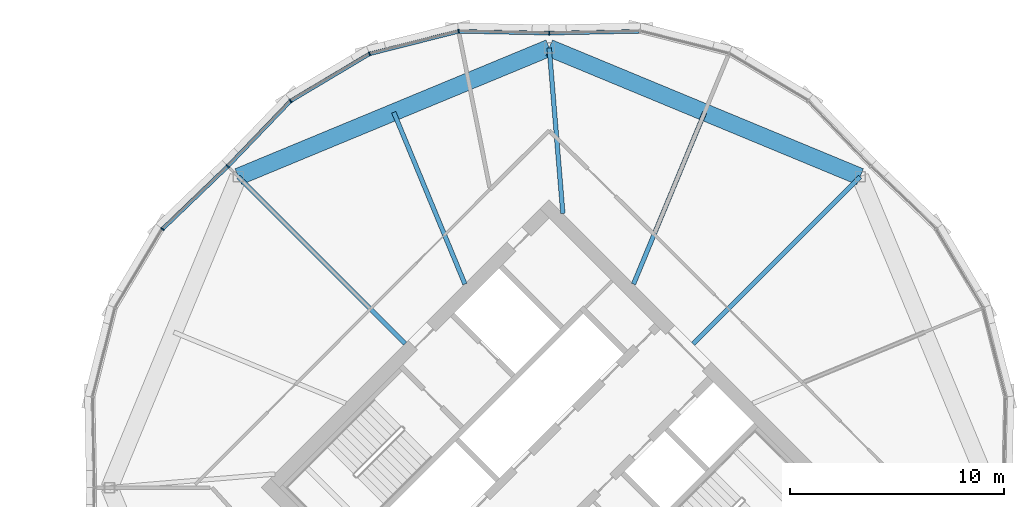
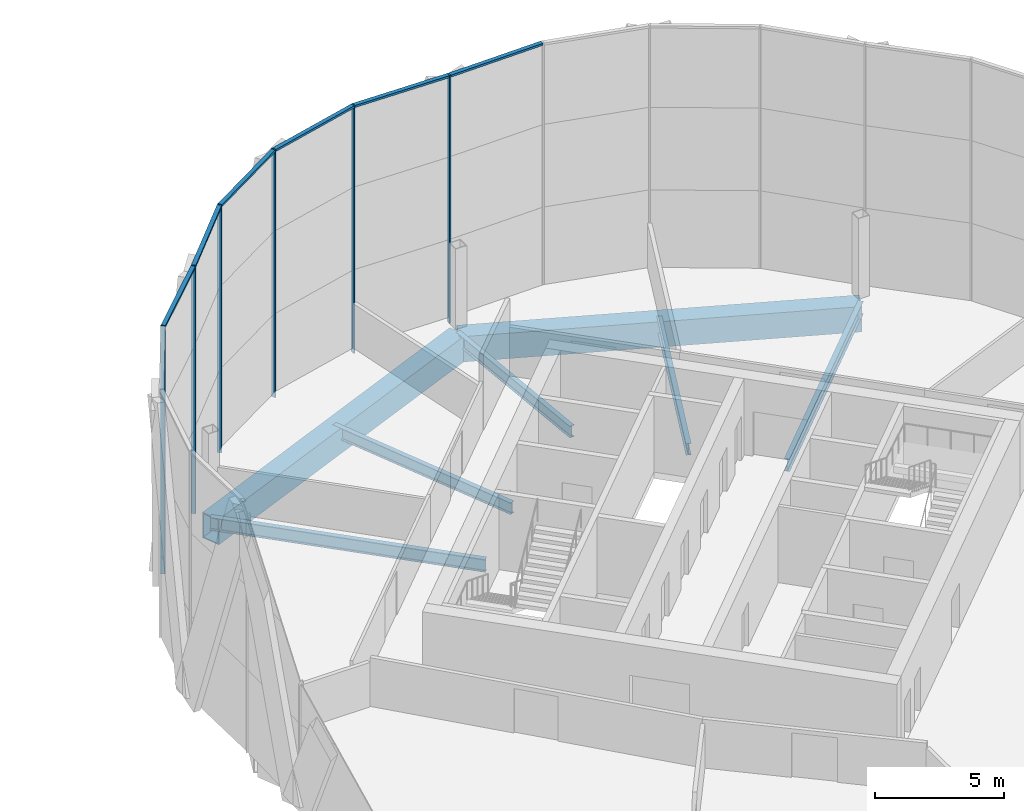
# One storey, part 13 of 25: 12 members, 7 beams, 3 elements without a shape of their own.
"""IFC4 building model written with IfcOpenShell, lengths in metres."""

from ifc_helpers import new_model, si_unit, direction, frame, origin, origin_2d, place, context, subcontext, project, spatial, rectangle, hollow_rectangle, i_section, extrude, material, material_profile, profile_set, type_object, element, aggregate, save


model = new_model("IFC4")

# Units and contexts
model_context = context("Model", 3, precision=1e-05, world=origin(), true_north=direction((0.0, 1.0)))
body_context = subcontext(model_context, "Body", "Model", "MODEL_VIEW")
ifc_project = project(units=[si_unit("LENGTHUNIT", "METRE"), si_unit("AREAUNIT", "SQUARE_METRE"), si_unit("VOLUMEUNIT", "CUBIC_METRE"), si_unit("PLANEANGLEUNIT", "RADIAN"), si_unit("MASSUNIT", "GRAM", prefix="KILO")], contexts=[model_context])

# Site, building, storey
site_placement = place(None, origin())
site = spatial("IfcSite", under=ifc_project, at=site_placement, CompositionType="ELEMENT")
building_placement = place(site_placement, origin())
building = spatial("IfcBuilding", under=site, at=building_placement, Name="Ogive Gate Towers", CompositionType="ELEMENT")
storey_placement = place(building_placement, frame((0.0, 0.0, 196.800048828125)))
storey = spatial("IfcBuildingStorey", under=building, at=storey_placement, Name="L47", CompositionType="ELEMENT", Elevation=196.800048828125)

# Beams
ifc_material_1 = material(Name="Steel SM460", Category="steel")
ifc_material_profile_1 = material_profile(ifc_material_1, hollow_rectangle(XDim=0.800048828125, YDim=1.199951171875, WallThickness=0.050048828125, at=origin_2d()), Name="BX 1200x800x50")
ifc_profile_set_1 = profile_set([ifc_material_profile_1], Name="Steel SM460")
beam_type_1 = type_object("IfcBeamType", Name="Edge girder BX 1200x800x50", PredefinedType="BEAM", material=ifc_profile_set_1)
for number, where, z_axis, x_axis, name in (
    (1, (50.509765625, 14.509765625, -0.900146484375), (-0.923877006731, 0.38268953008, 0.0), (-0.38268953008, -0.923877006731, 0.0), "T2/L47/SBM021"),
    (2, (36.0, 20.52001953125, -0.900146484375), (-0.923877006731, -0.38268953008, 0.0), (0.38268953008, -0.923877006731, 0.0), "T2/L47/SBM022"),
):
    element("IfcBeam", number, at=place(storey_placement, frame(where, z_axis=z_axis, x_axis=x_axis)), inside=storey, type_object=beam_type_1, Name=name, PredefinedType="BEAM", context=body_context, shape_type="SweptSolid", body=[
        extrude(hollow_rectangle(XDim=0.800048828125, YDim=1.199951171875, WallThickness=0.050048828125, at=origin_2d()), origin(), (0.0, 0.0, 1.0), 15.705322265625),
    ])
ifc_material_2 = material(Name="Steel SM355", Category="steel")
ifc_material_profile_2 = material_profile(ifc_material_2, i_section(OverallWidth=0.2099609375, OverallDepth=0.550048828125, WebThickness=0.010986328125, FlangeThickness=0.01708984375, FilletRadius=0.02392578125, at=origin_2d()), Name="IPE 550")
ifc_profile_set_2 = profile_set([ifc_material_profile_2], Name="Steel SM355")
beam_type_2 = type_object("IfcBeamType", Name="Radial floor beam IPE 550", PredefinedType="BEAM", material=ifc_profile_set_2)
beam_1_placement = place(storey_placement, frame((39.93505859375, 9.5, -0.574951171875), z_axis=(0.382678218882, 0.92388169199, 0.0), x_axis=(-0.92388169199, 0.382678218882, 0.0)))
element("IfcBeam", 3, at=beam_1_placement, inside=storey, type_object=beam_type_2, Name="T2/L47/SBM010", PredefinedType="BEAM", context=body_context, shape_type="SweptSolid", body=[
    extrude(i_section(OverallWidth=0.2099609375, OverallDepth=0.550048828125, WebThickness=0.010986328125, FlangeThickness=0.01708984375, FilletRadius=0.02392578125, at=origin_2d()), origin(), (0.0, 0.0, 1.0), 8.67529296875),
])
beam_2_placement = place(storey_placement, frame((36.636474609375, 12.798583984375, -0.574951171875), z_axis=(-0.082150949336, 0.996619898218, 0.0), x_axis=(-0.996619898218, -0.082150949336, 0.0)))
element("IfcBeam", 4, at=beam_2_placement, inside=storey, type_object=beam_type_2, Name="T2/L47/SBM011", PredefinedType="BEAM", context=body_context, shape_type="SweptSolid", body=[
    extrude(i_section(OverallWidth=0.2099609375, OverallDepth=0.550048828125, WebThickness=0.010986328125, FlangeThickness=0.01708984375, FilletRadius=0.02392578125, at=origin_2d()), origin(), (0.0, 0.0, 1.0), 7.74755859375),
])
beam_3_placement = place(storey_placement, frame((32.06494140625, 9.5, -0.574951171875), z_axis=(-0.382678218882, 0.92388169199, 0.0), x_axis=(-0.92388169199, -0.382678218882, 0.0)))
element("IfcBeam", 5, at=beam_3_placement, inside=storey, type_object=beam_type_2, Name="T2/L47/SBM012", PredefinedType="BEAM", context=body_context, shape_type="SweptSolid", body=[
    extrude(i_section(OverallWidth=0.2099609375, OverallDepth=0.550048828125, WebThickness=0.010986328125, FlangeThickness=0.01708984375, FilletRadius=0.02392578125, at=origin_2d()), origin(), (0.0, 0.0, 1.0), 8.67529296875),
])
ifc_material_profile_3 = material_profile(ifc_material_2, i_section(OverallWidth=0.219970703125, OverallDepth=0.60009765625, WebThickness=0.011962890625, FlangeThickness=0.01904296875, FilletRadius=0.02392578125, at=origin_2d()), Name="IPE 600")
ifc_profile_set_3 = profile_set([ifc_material_profile_3], Name="Steel SM355")
beam_type_3 = type_object("IfcBeamType", Name="Radial floor beam IPE 600", PredefinedType="BEAM", material=ifc_profile_set_3)
for number, where, z_axis, x_axis, name in (
    (6, (42.717529296875, 6.717529296875, -0.60009765625), (0.707106781187, 0.707106781187, 0.0), (-0.707106781187, 0.707106781187, 0.0), "T2/L47/SBM009"),
    (7, (29.282470703125, 6.717529296875, -0.60009765625), (-0.707106781187, 0.707106781187, 0.0), (-0.707106781187, -0.707106781187, 0.0), "T2/L47/SBM013"),
):
    element("IfcBeam", number, at=place(storey_placement, frame(where, z_axis=z_axis, x_axis=x_axis)), inside=storey, type_object=beam_type_3, Name=name, PredefinedType="BEAM", context=body_context, shape_type="SweptSolid", body=[
        extrude(i_section(OverallWidth=0.219970703125, OverallDepth=0.60009765625, WebThickness=0.011962890625, FlangeThickness=0.01904296875, FilletRadius=0.02392578125, at=origin_2d()), origin(), (0.0, 0.0, 1.0), 11.019775390625),
    ])

# Curtain wall, member
ifc_material_3 = material(Name="Pale metal aluminium", Category="aluminium")
curtain_wall_type = type_object("IfcCurtainWallType", Name="Tower unitised wall, high zone", PredefinedType="NOTDEFINED", material=ifc_material_3)
curtain_wall_1_placement = place(storey_placement, origin())
curtain_wall_1 = element("IfcCurtainWall", 8, at=curtain_wall_1_placement, inside=storey, type_object=curtain_wall_type, Name="CW2 T2 ECW02", PredefinedType="NOTDEFINED")
ifc_material_profile_4 = material_profile(ifc_material_3, rectangle(XDim=0.179931640625, YDim=0.06005859375, at=origin_2d()), Name="60 x 180 aluminium box")
ifc_profile_set_4 = profile_set([ifc_material_profile_4], Name="Pale metal aluminium")
member_type_1 = type_object("IfcMemberType", Name="Tower unitised wall, high zone mullion 60 x 180", PredefinedType="MULLION", material=ifc_profile_set_4)
member_1_placement = place(storey_placement, frame((36.000244140625, 21.2099609375, -0.300048828125), z_axis=(0.0, 0.0, 1.0), x_axis=(-0.020052489003, 0.999798928628, 0.0)))
member_1 = element("IfcMember", 9, at=member_1_placement, type_object=member_type_1, Name="CW2 mullion", PredefinedType="MULLION", context=body_context, shape_type="SweptSolid", body=[
    extrude(rectangle(XDim=0.179931640625, YDim=0.06005859375, at=origin_2d()), origin(), (0.0, 0.0, 1.0), 11.699951171875),
])

# Curtain wall, members
curtain_wall_2_placement = place(storey_placement, origin())
curtain_wall_2 = element("IfcCurtainWall", 10, at=curtain_wall_2_placement, inside=storey, type_object=curtain_wall_type, Name="CW2 T2 ECW03", PredefinedType="NOTDEFINED")
member_2_placement = place(storey_placement, frame((31.771728515625, 21.294921875, -0.300048828125), z_axis=(0.0, 0.0, 1.0), x_axis=(-0.113636730484, 0.993522366877, 0.0)))
member_2 = element("IfcMember", 11, at=member_2_placement, type_object=member_type_1, Name="CW2 mullion", PredefinedType="MULLION", context=body_context, shape_type="SweptSolid", body=[
    extrude(rectangle(XDim=0.179931640625, YDim=0.06005859375, at=origin_2d()), origin(), (0.0, 0.0, 1.0), 11.699951171875),
])
member_3_placement = place(storey_placement, frame((27.614990234375, 20.2431640625, -0.300048828125), z_axis=(0.0, 0.0, 1.0), x_axis=(-0.382683432365, 0.923879532511, 0.0)))
member_3 = element("IfcMember", 12, at=member_3_placement, type_object=member_type_1, Name="CW2 mullion", PredefinedType="MULLION", context=body_context, shape_type="SweptSolid", body=[
    extrude(rectangle(XDim=0.179931640625, YDim=0.06005859375, at=origin_2d()), origin(), (0.0, 0.0, 1.0), 11.699951171875),
])
member_4_placement = place(storey_placement, frame((23.931884765625, 18.047607421875, -0.300048828125), z_axis=(0.0, 0.0, 1.0), x_axis=(-0.622173100162, 0.782879705596, 0.0)))
member_4 = element("IfcMember", 13, at=member_4_placement, type_object=member_type_1, Name="CW2 mullion", PredefinedType="MULLION", context=body_context, shape_type="SweptSolid", body=[
    extrude(rectangle(XDim=0.179931640625, YDim=0.06005859375, at=origin_2d()), origin(), (0.0, 0.0, 1.0), 11.699951171875),
])
member_5_placement = place(storey_placement, frame((21.00244140625, 14.997802734375, -0.300048828125), z_axis=(0.0, 0.0, 1.0), x_axis=(-0.72114385321, 0.692785351302, 0.0)))
member_5 = element("IfcMember", 14, at=member_5_placement, type_object=member_type_1, Name="CW2 mullion", PredefinedType="MULLION", context=body_context, shape_type="SweptSolid", body=[
    extrude(rectangle(XDim=0.179931640625, YDim=0.06005859375, at=origin_2d()), origin(), (0.0, 0.0, 1.0), 11.699951171875),
])

# Curtain wall, member
curtain_wall_3_placement = place(storey_placement, origin())
curtain_wall_3 = element("IfcCurtainWall", 15, at=curtain_wall_3_placement, inside=storey, type_object=curtain_wall_type, Name="CW2 T2 ECW04", PredefinedType="NOTDEFINED")
member_6_placement = place(storey_placement, frame((17.952392578125, 12.068115234375, -0.300048828125), z_axis=(0.0, 0.0, 1.0), x_axis=(-0.782879705596, 0.622173100162, 0.0)))
member_6 = element("IfcMember", 16, at=member_6_placement, type_object=member_type_1, Name="CW2 mullion", PredefinedType="MULLION", context=body_context, shape_type="SweptSolid", body=[
    extrude(rectangle(XDim=0.179931640625, YDim=0.06005859375, at=origin_2d()), origin(), (0.0, 0.0, 1.0), 11.699951171875),
])

# Member
ifc_material_profile_5 = material_profile(ifc_material_3, rectangle(XDim=0.179931640625, YDim=0.10009765625, at=origin_2d()), Name="100 x 180 aluminium box")
ifc_profile_set_5 = profile_set([ifc_material_profile_5], Name="Pale metal aluminium")
member_type_2 = type_object("IfcMemberType", Name="Tower unitised wall, high zone transom 100 x 180", PredefinedType="USERDEFINED", material=ifc_profile_set_5)
member_7_placement = place(storey_placement, frame((40.199462890625, 21.294189453125, 11.349853515625), z_axis=(-0.999799521205, -0.020022921839, 0.0), x_axis=(0.020022921839, -0.999799521205, 0.0)))
member_7 = element("IfcMember", 17, at=member_7_placement, type_object=member_type_2, Name="CW2 transom", ObjectType="TRANSOM", PredefinedType="USERDEFINED", context=body_context, shape_type="SweptSolid", body=[
    extrude(rectangle(XDim=0.179931640625, YDim=0.10009765625, at=origin_2d()), origin(), (0.0, 0.0, 1.0), 4.169921875),
])

aggregate(curtain_wall_1, [member_1, member_7])

member_8_placement = place(storey_placement, frame((35.9697265625, 21.210693359375, 11.349853515625), z_axis=(-0.999799521205, 0.020022921839, 0.0), x_axis=(-0.020022921839, -0.999799521205, 0.0)))
member_8 = element("IfcMember", 18, at=member_8_placement, type_object=member_type_2, Name="CW2 transom", ObjectType="TRANSOM", PredefinedType="USERDEFINED", context=body_context, shape_type="SweptSolid", body=[
    extrude(rectangle(XDim=0.179931640625, YDim=0.10009765625, at=origin_2d()), origin(), (0.0, 0.0, 1.0), 4.169921875),
])

member_9_placement = place(storey_placement, frame((31.744140625, 21.28759765625, 11.349853515625), z_axis=(-0.969459806068, -0.245250248559, 0.0), x_axis=(0.245250248559, -0.969459806068, 0.0)))
member_9 = element("IfcMember", 19, at=member_9_placement, type_object=member_type_2, Name="CW2 transom", ObjectType="TRANSOM", PredefinedType="USERDEFINED", context=body_context, shape_type="SweptSolid", body=[
    extrude(rectangle(XDim=0.179931640625, YDim=0.10009765625, at=origin_2d()), origin(), (0.0, 0.0, 1.0), 4.230712890625),
])

member_10_placement = place(storey_placement, frame((27.590576171875, 20.228515625, 11.349853515625), z_axis=(-0.858950879232, -0.512057991899, 0.0), x_axis=(0.512057991899, -0.858950879232, 0.0)))
member_10 = element("IfcMember", 20, at=member_10_placement, type_object=member_type_2, Name="CW2 transom", ObjectType="TRANSOM", PredefinedType="USERDEFINED", context=body_context, shape_type="SweptSolid", body=[
    extrude(rectangle(XDim=0.179931640625, YDim=0.10009765625, at=origin_2d()), origin(), (0.0, 0.0, 1.0), 4.23046875),
])

member_11_placement = place(storey_placement, frame((23.912109375, 18.02685546875, 11.349853515625), z_axis=(-0.692766996426, -0.721161485843, 0.0), x_axis=(0.721161485843, -0.692766996426, 0.0)))
member_11 = element("IfcMember", 21, at=member_11_placement, type_object=member_type_2, Name="CW2 transom", ObjectType="TRANSOM", PredefinedType="USERDEFINED", context=body_context, shape_type="SweptSolid", body=[
    extrude(rectangle(XDim=0.179931640625, YDim=0.10009765625, at=origin_2d()), origin(), (0.0, 0.0, 1.0), 4.170166015625),
])

aggregate(curtain_wall_2, [member_2, member_8, member_3, member_9, member_4, member_10, member_5, member_11])

member_12_placement = place(storey_placement, frame((20.98046875, 14.976806640625, 11.349853515625), z_axis=(-0.721161485843, -0.692766996426, 0.0), x_axis=(0.692766996426, -0.721161485843, 0.0)))
member_12 = element("IfcMember", 22, at=member_12_placement, type_object=member_type_2, Name="CW2 transom", ObjectType="TRANSOM", PredefinedType="USERDEFINED", context=body_context, shape_type="SweptSolid", body=[
    extrude(rectangle(XDim=0.179931640625, YDim=0.10009765625, at=origin_2d()), origin(), (0.0, 0.0, 1.0), 4.170166015625),
])

aggregate(curtain_wall_3, [member_6, member_12])

save(model, "model.ifc")
